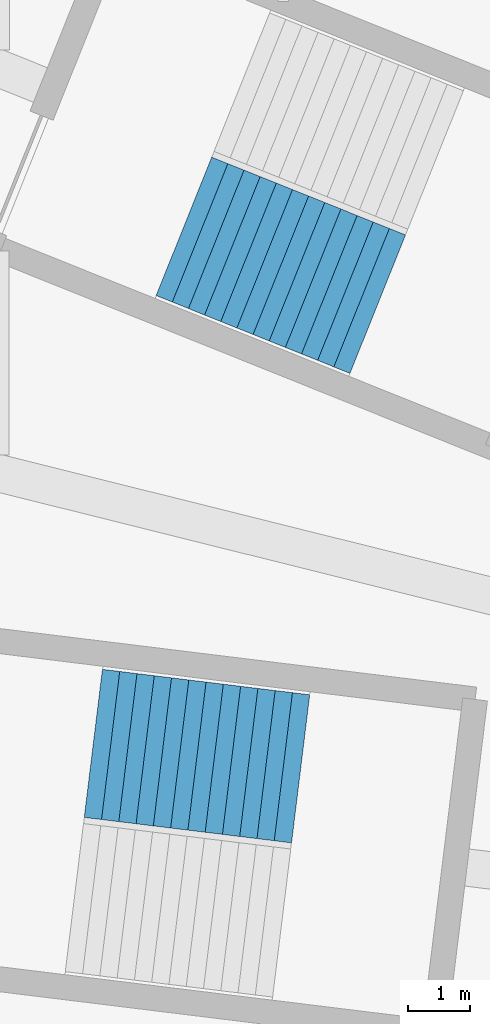
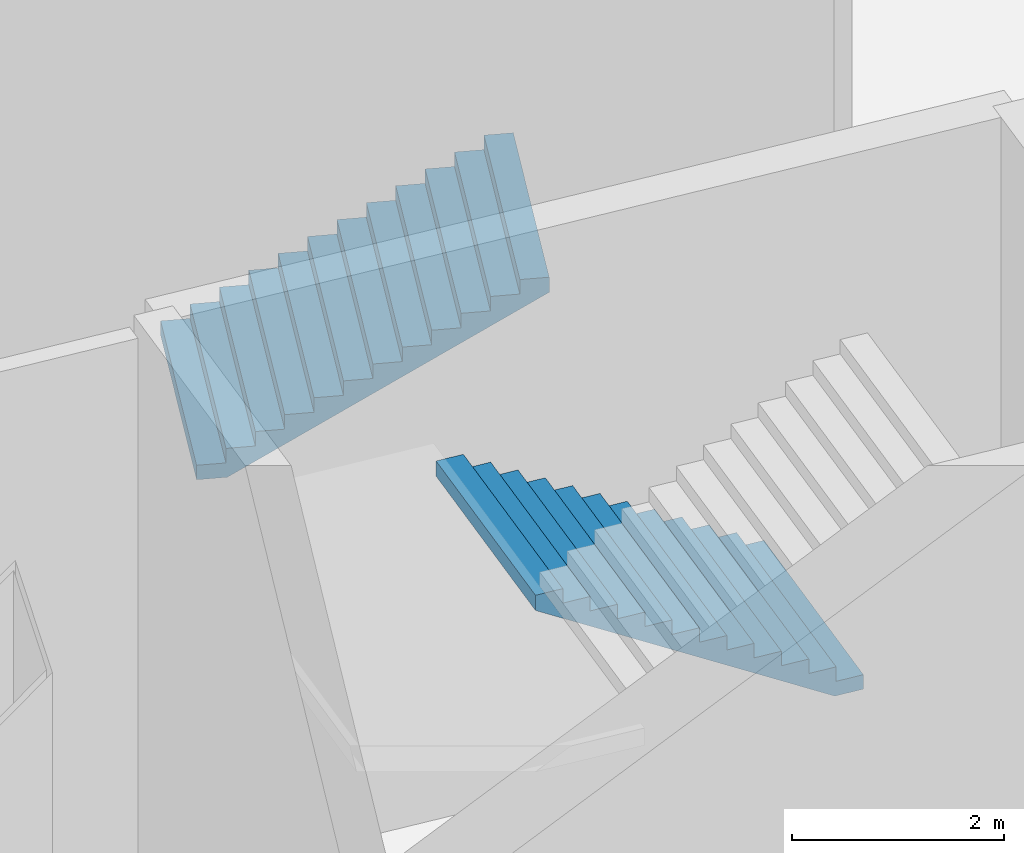
# One storey, part 30 of 47: 2 stair flights, 2 elements without a shape of their own.
"""IFC4 building model written with IfcOpenShell, lengths in metres."""

from ifc_helpers import new_model, si_unit, direction, frame, origin, place, context, subcontext, project, spatial, triangles, material, type_object, element, aggregate, save


model = new_model("IFC4")

# Units and contexts
model_context = context("Model", 3, precision=1e-05, world=origin(), true_north=direction((0.0, 1.0)))
body_context = subcontext(model_context, "Body", "Model", "MODEL_VIEW")
ifc_project = project(units=[si_unit("LENGTHUNIT", "METRE"), si_unit("AREAUNIT", "SQUARE_METRE"), si_unit("VOLUMEUNIT", "CUBIC_METRE"), si_unit("PLANEANGLEUNIT", "RADIAN"), si_unit("MASSUNIT", "GRAM", prefix="KILO")], contexts=[model_context])

# Site, building, storey
site_placement = place(None, origin())
site = spatial("IfcSite", under=ifc_project, at=site_placement, CompositionType="ELEMENT")
building_placement = place(site_placement, origin())
building = spatial("IfcBuilding", under=site, at=building_placement, Name="Lantaw Convention Tower", CompositionType="ELEMENT")
storey_placement = place(building_placement, origin())
storey = spatial("IfcBuildingStorey", under=building, at=storey_placement, Name="L00", CompositionType="ELEMENT", Elevation=0.0)

# Stair, stair flight
ifc_material = material(Name="Concrete C35/45", Category="concrete")
stair_type = type_object("IfcStairType", Name="Exit stair 2400 riser 166.67 in 3 flights", PredefinedType="HALF_TURN_STAIR", material=ifc_material)
stair_1_placement = place(storey_placement, origin())
stair_1 = element("IfcStair", 1, at=stair_1_placement, inside=storey, type_object=stair_type, Name="Podium exit stair P8 L00", PredefinedType="HALF_TURN_STAIR")
stair_flight_type = type_object("IfcStairFlightType", Name="Stair flight 2400 riser 166.67", PredefinedType="STRAIGHT", material=ifc_material)
stair_flight_1_placement = place(storey_placement, frame((-39.848876953125, 14.64990234375, 0.0), z_axis=(0.0, 0.0, 1.0), x_axis=(0.928015168305, -0.372542410198, 0.0)))
stair_flight_1 = element("IfcStairFlight", 2, at=stair_flight_1_placement, type_object=stair_flight_type, Name="P8 flight 1", NumberOfRisers=13, NumberOfTreads=12, PredefinedType="STRAIGHT", RiserHeight=0.166666667, TreadLength=0.28, context=body_context, shape_type="Tessellation", body=[
    triangles([(0.0, 1.199951171875, 0.0), (0.0, 1.199951171875, 0.166666667), (0.28, 1.199951171875, 0.0), (0.28, 1.199951171875, 0.166666667), (0.28, 1.199951171875, 0.333333334), (0.29307345806906815, 1.199951171875, 0.0), (0.29307345806906815, 1.199951171875, 0.333333334), (0.56, 1.199951171875, 0.15888484670522912), (0.56, 1.199951171875, 0.333333334), (0.56, 1.199951171875, 0.500000001), (0.8400000000000001, 1.199951171875, 0.3255515137052291), (0.8400000000000001, 1.199951171875, 0.500000001), (0.8400000000000001, 1.199951171875, 0.666666668), (1.12, 1.199951171875, 0.49221818070522905), (1.12, 1.199951171875, 0.666666668), (1.12, 1.199951171875, 0.833333335), (1.4000000000000001, 1.199951171875, 0.658884847705229), (1.4000000000000001, 1.199951171875, 0.833333335), (1.4000000000000001, 1.199951171875, 1.000000002), (1.6800000000000002, 1.199951171875, 0.825551514705229), (1.6800000000000002, 1.199951171875, 1.000000002), (1.6800000000000002, 1.199951171875, 1.166666669), (1.9600000000000002, 1.199951171875, 0.992218181705229), (1.9600000000000002, 1.199951171875, 1.166666669), (1.9600000000000002, 1.199951171875, 1.333333336), (2.24, 1.199951171875, 1.158884848705229), (2.24, 1.199951171875, 1.333333336), (2.24, 1.199951171875, 1.5000000029999998), (2.5200000000000005, 1.199951171875, 1.325551515705229), (2.5200000000000005, 1.199951171875, 1.5000000029999998), (2.5200000000000005, 1.199951171875, 1.66666667), (2.8000000000000003, 1.199951171875, 1.492218182705229), (2.8000000000000003, 1.199951171875, 1.66666667), (2.8000000000000003, 1.199951171875, 1.833333337), (3.08, 1.199951171875, 1.6588848497052289), (3.08, 1.199951171875, 1.833333337), (3.08, 1.199951171875, 2.000000004), (3.3600000000000003, 1.199951171875, 1.825551516705229), (3.3600000000000003, 1.199951171875, 2.000000004), (0.0, -1.199951171875, 0.0), (0.0, -1.199951171875, 0.166666667), (0.28, -1.199951171875, 0.0), (0.28, -1.199951171875, 0.166666667), (0.28, -1.199951171875, 0.333333334), (0.29307345806906815, -1.199951171875, 0.0), (0.29307345806906815, -1.199951171875, 0.333333334), (0.56, -1.199951171875, 0.15888484670522912), (0.56, -1.199951171875, 0.333333334), (0.56, -1.199951171875, 0.500000001), (0.8400000000000001, -1.199951171875, 0.3255515137052291), (0.8400000000000001, -1.199951171875, 0.500000001), (0.8400000000000001, -1.199951171875, 0.666666668), (1.12, -1.199951171875, 0.49221818070522905), (1.12, -1.199951171875, 0.666666668), (1.12, -1.199951171875, 0.833333335), (1.4000000000000001, -1.199951171875, 0.658884847705229), (1.4000000000000001, -1.199951171875, 0.833333335), (1.4000000000000001, -1.199951171875, 1.000000002), (1.6800000000000002, -1.199951171875, 0.825551514705229), (1.6800000000000002, -1.199951171875, 1.000000002), (1.6800000000000002, -1.199951171875, 1.166666669), (1.9600000000000002, -1.199951171875, 0.992218181705229), (1.9600000000000002, -1.199951171875, 1.166666669), (1.9600000000000002, -1.199951171875, 1.333333336), (2.24, -1.199951171875, 1.158884848705229), (2.24, -1.199951171875, 1.333333336), (2.24, -1.199951171875, 1.5000000029999998), (2.5200000000000005, -1.199951171875, 1.325551515705229), (2.5200000000000005, -1.199951171875, 1.5000000029999998), (2.5200000000000005, -1.199951171875, 1.66666667), (2.8000000000000003, -1.199951171875, 1.492218182705229), (2.8000000000000003, -1.199951171875, 1.66666667), (2.8000000000000003, -1.199951171875, 1.833333337), (3.08, -1.199951171875, 1.6588848497052289), (3.08, -1.199951171875, 1.833333337), (3.08, -1.199951171875, 2.000000004), (3.3600000000000003, -1.199951171875, 1.825551516705229), (3.3600000000000003, -1.199951171875, 2.000000004), (0.0, 0.239990234375, 0.166666667), (0.0, 0.239990234375, 0.0), (0.0, 0.0, 0.166666667), (0.0, 0.0, 0.0), (0.0, -0.239990234375, 0.166666667), (0.0, -0.239990234375, 0.0), (0.28, 0.239990234375, 0.333333334), (0.28, 0.239990234375, 0.166666667), (0.28, 0.0, 0.333333334), (0.28, 0.0, 0.166666667), (0.28, -0.239990234375, 0.333333334), (0.28, -0.239990234375, 0.166666667), (0.56, 0.239990234375, 0.500000001), (0.56, 0.239990234375, 0.333333334), (0.56, 0.0, 0.500000001), (0.56, 0.0, 0.333333334), (0.56, -0.239990234375, 0.500000001), (0.56, -0.239990234375, 0.333333334), (0.8400000000000001, 0.239990234375, 0.666666668), (0.8400000000000001, 0.239990234375, 0.500000001), (0.8400000000000001, 0.0, 0.666666668), (0.8400000000000001, 0.0, 0.500000001), (0.8400000000000001, -0.239990234375, 0.666666668), (0.8400000000000001, -0.239990234375, 0.500000001), (1.12, 0.239990234375, 0.833333335), (1.12, 0.239990234375, 0.666666668), (1.12, 0.0, 0.833333335), (1.12, 0.0, 0.666666668), (1.12, -0.239990234375, 0.833333335), (1.12, -0.239990234375, 0.666666668), (1.4000000000000001, 0.239990234375, 1.000000002), (1.4000000000000001, 0.239990234375, 0.833333335), (1.4000000000000001, 0.0, 1.000000002), (1.4000000000000001, 0.0, 0.833333335), (1.4000000000000001, -0.239990234375, 1.000000002), (1.4000000000000001, -0.239990234375, 0.833333335), (1.6800000000000002, 0.239990234375, 1.166666669), (1.6800000000000002, 0.239990234375, 1.000000002), (1.6800000000000002, 0.0, 1.166666669), (1.6800000000000002, 0.0, 1.000000002), (1.6800000000000002, -0.239990234375, 1.166666669), (1.6800000000000002, -0.239990234375, 1.000000002), (1.9600000000000002, 0.239990234375, 1.333333336), (1.9600000000000002, 0.239990234375, 1.166666669), (1.9600000000000002, 0.0, 1.333333336), (1.9600000000000002, 0.0, 1.166666669), (1.9600000000000002, -0.239990234375, 1.333333336), (1.9600000000000002, -0.239990234375, 1.166666669), (2.24, 0.239990234375, 1.5000000029999998), (2.24, 0.239990234375, 1.333333336), (2.24, 0.0, 1.5000000029999998), (2.24, 0.0, 1.333333336), (2.24, -0.239990234375, 1.5000000029999998), (2.24, -0.239990234375, 1.333333336), (2.5200000000000005, 0.239990234375, 1.66666667), (2.5200000000000005, 0.239990234375, 1.5000000029999998), (2.5200000000000005, 0.0, 1.66666667), (2.5200000000000005, 0.0, 1.5000000029999998), (2.5200000000000005, -0.239990234375, 1.66666667), (2.5200000000000005, -0.239990234375, 1.5000000029999998), (2.8000000000000003, 0.239990234375, 1.833333337), (2.8000000000000003, 0.239990234375, 1.66666667), (2.8000000000000003, 0.0, 1.833333337), (2.8000000000000003, 0.0, 1.66666667), (2.8000000000000003, -0.239990234375, 1.833333337), (2.8000000000000003, -0.239990234375, 1.66666667), (3.08, 0.239990234375, 2.000000004), (3.08, 0.239990234375, 1.833333337), (3.08, 0.0, 2.000000004), (3.08, 0.0, 1.833333337), (3.08, -0.239990234375, 2.000000004), (3.08, -0.239990234375, 1.833333337), (0.29307345806906815, 0.239990234375, 0.333333334), (0.29307345806906815, 0.0, 0.333333334), (0.29307345806906815, -0.239990234375, 0.333333334), (3.3600000000000003, 0.239990234375, 2.000000004), (3.3600000000000003, 0.0, 2.000000004), (3.3600000000000003, -0.239990234375, 2.000000004), (3.3600000000000003, 0.239990234375, 1.8255515167052292), (3.3600000000000003, 0.0, 1.8255515167052292), (3.3600000000000003, -0.239990234375, 1.8255515167052292), (3.08, 0.239990234375, 1.6588848497052289), (3.08, 0.0, 1.6588848497052289), (3.08, -0.239990234375, 1.6588848497052289), (2.8000000000000003, 0.239990234375, 1.492218182705229), (2.8000000000000003, 0.0, 1.492218182705229), (2.8000000000000003, -0.239990234375, 1.492218182705229), (2.5200000000000005, 0.239990234375, 1.325551515705229), (2.5200000000000005, 0.0, 1.325551515705229), (2.5200000000000005, -0.239990234375, 1.325551515705229), (2.24, 0.239990234375, 1.158884848705229), (2.24, 0.0, 1.158884848705229), (2.24, -0.239990234375, 1.158884848705229), (1.9600000000000002, 0.239990234375, 0.992218181705229), (1.9600000000000002, 0.0, 0.992218181705229), (1.9600000000000002, -0.239990234375, 0.992218181705229), (1.6800000000000002, 0.239990234375, 0.825551514705229), (1.6800000000000002, 0.0, 0.825551514705229), (1.6800000000000002, -0.239990234375, 0.825551514705229), (1.4000000000000001, 0.239990234375, 0.658884847705229), (1.4000000000000001, 0.0, 0.658884847705229), (1.4000000000000001, -0.239990234375, 0.658884847705229), (1.12, 0.239990234375, 0.49221818070522905), (1.12, 0.0, 0.49221818070522905), (1.12, -0.239990234375, 0.49221818070522905), (0.8400000000000001, 0.239990234375, 0.3255515137052291), (0.8400000000000001, 0.0, 0.3255515137052291), (0.8400000000000001, -0.239990234375, 0.3255515137052291), (0.56, 0.239990234375, 0.15888484670522912), (0.56, 0.0, 0.15888484670522912), (0.56, -0.239990234375, 0.15888484670522912), (0.29307345806906815, 0.239990234375, 0.0), (0.29307345806906815, 0.0, 0.0), (0.29307345806906815, -0.239990234375, 0.0), (0.28, 0.239990234375, 0.0), (0.28, 0.0, 0.0), (0.28, -0.239990234375, 0.0)], [[1, 4, 3], [1, 2, 4], [3, 4, 6], [4, 7, 6], [4, 5, 7], [6, 9, 8], [6, 7, 9], [8, 9, 11], [9, 12, 11], [9, 10, 12], [11, 12, 14], [12, 15, 14], [12, 13, 15], [14, 15, 17], [15, 18, 17], [15, 16, 18], [17, 18, 20], [18, 21, 20], [18, 19, 21], [20, 21, 23], [21, 24, 23], [21, 22, 24], [23, 24, 26], [24, 27, 26], [24, 25, 27], [26, 27, 29], [27, 30, 29], [27, 28, 30], [29, 30, 32], [30, 33, 32], [30, 31, 33], [32, 33, 35], [33, 36, 35], [33, 34, 36], [35, 36, 38], [36, 39, 38], [36, 37, 39], [40, 42, 43], [40, 43, 41], [42, 45, 43], [43, 45, 46], [43, 46, 44], [45, 47, 48], [45, 48, 46], [47, 50, 48], [48, 50, 51], [48, 51, 49], [50, 53, 51], [51, 53, 54], [51, 54, 52], [53, 56, 54], [54, 56, 57], [54, 57, 55], [56, 59, 57], [57, 59, 60], [57, 60, 58], [59, 62, 60], [60, 62, 63], [60, 63, 61], [62, 65, 63], [63, 65, 66], [63, 66, 64], [65, 68, 66], [66, 68, 69], [66, 69, 67], [68, 71, 69], [69, 71, 72], [69, 72, 70], [71, 74, 72], [72, 74, 75], [72, 75, 73], [74, 77, 75], [75, 77, 78], [75, 78, 76], [1, 79, 2], [1, 80, 79], [80, 81, 79], [80, 82, 81], [82, 83, 81], [82, 84, 83], [84, 41, 83], [84, 40, 41], [4, 85, 5], [4, 86, 85], [86, 87, 85], [86, 88, 87], [88, 89, 87], [88, 90, 89], [90, 44, 89], [90, 43, 44], [9, 91, 10], [9, 92, 91], [92, 93, 91], [92, 94, 93], [94, 95, 93], [94, 96, 95], [96, 49, 95], [96, 48, 49], [12, 97, 13], [12, 98, 97], [98, 99, 97], [98, 100, 99], [100, 101, 99], [100, 102, 101], [102, 52, 101], [102, 51, 52], [15, 103, 16], [15, 104, 103], [104, 105, 103], [104, 106, 105], [106, 107, 105], [106, 108, 107], [108, 55, 107], [108, 54, 55], [18, 109, 19], [18, 110, 109], [110, 111, 109], [110, 112, 111], [112, 113, 111], [112, 114, 113], [114, 58, 113], [114, 57, 58], [21, 115, 22], [21, 116, 115], [116, 117, 115], [116, 118, 117], [118, 119, 117], [118, 120, 119], [120, 61, 119], [120, 60, 61], [24, 121, 25], [24, 122, 121], [122, 123, 121], [122, 124, 123], [124, 125, 123], [124, 126, 125], [126, 64, 125], [126, 63, 64], [27, 127, 28], [27, 128, 127], [128, 129, 127], [128, 130, 129], [130, 131, 129], [130, 132, 131], [132, 67, 131], [132, 66, 67], [30, 133, 31], [30, 134, 133], [134, 135, 133], [134, 136, 135], [136, 137, 135], [136, 138, 137], [138, 70, 137], [138, 69, 70], [33, 139, 34], [33, 140, 139], [140, 141, 139], [140, 142, 141], [142, 143, 141], [142, 144, 143], [144, 73, 143], [144, 72, 73], [36, 145, 37], [36, 146, 145], [146, 147, 145], [146, 148, 147], [148, 149, 147], [148, 150, 149], [150, 76, 149], [150, 75, 76], [2, 86, 4], [2, 79, 86], [79, 88, 86], [79, 81, 88], [81, 90, 88], [81, 83, 90], [83, 43, 90], [83, 41, 43], [5, 151, 7], [5, 85, 151], [85, 152, 151], [85, 87, 152], [87, 153, 152], [87, 89, 153], [89, 46, 153], [89, 44, 46], [7, 92, 9], [7, 151, 92], [151, 94, 92], [151, 152, 94], [152, 96, 94], [152, 153, 96], [153, 48, 96], [153, 46, 48], [10, 98, 12], [10, 91, 98], [91, 100, 98], [91, 93, 100], [93, 102, 100], [93, 95, 102], [95, 51, 102], [95, 49, 51], [13, 104, 15], [13, 97, 104], [97, 106, 104], [97, 99, 106], [99, 108, 106], [99, 101, 108], [101, 54, 108], [101, 52, 54], [16, 110, 18], [16, 103, 110], [103, 112, 110], [103, 105, 112], [105, 114, 112], [105, 107, 114], [107, 57, 114], [107, 55, 57], [19, 116, 21], [19, 109, 116], [109, 118, 116], [109, 111, 118], [111, 120, 118], [111, 113, 120], [113, 60, 120], [113, 58, 60], [22, 122, 24], [22, 115, 122], [115, 124, 122], [115, 117, 124], [117, 126, 124], [117, 119, 126], [119, 63, 126], [119, 61, 63], [25, 128, 27], [25, 121, 128], [121, 130, 128], [121, 123, 130], [123, 132, 130], [123, 125, 132], [125, 66, 132], [125, 64, 66], [28, 134, 30], [28, 127, 134], [127, 136, 134], [127, 129, 136], [129, 138, 136], [129, 131, 138], [131, 69, 138], [131, 67, 69], [31, 140, 33], [31, 133, 140], [133, 142, 140], [133, 135, 142], [135, 144, 142], [135, 137, 144], [137, 72, 144], [137, 70, 72], [34, 146, 36], [34, 139, 146], [139, 148, 146], [139, 141, 148], [141, 150, 148], [141, 143, 150], [143, 75, 150], [143, 73, 75], [37, 154, 39], [37, 145, 154], [145, 155, 154], [145, 147, 155], [147, 156, 155], [147, 149, 156], [149, 78, 156], [149, 76, 78], [39, 157, 38], [39, 154, 157], [154, 158, 157], [154, 155, 158], [155, 159, 158], [155, 156, 159], [156, 77, 159], [156, 78, 77], [38, 160, 35], [38, 157, 160], [157, 161, 160], [157, 158, 161], [158, 162, 161], [158, 159, 162], [159, 74, 162], [159, 77, 74], [35, 163, 32], [35, 160, 163], [160, 164, 163], [160, 161, 164], [161, 165, 164], [161, 162, 165], [162, 71, 165], [162, 74, 71], [32, 166, 29], [32, 163, 166], [163, 167, 166], [163, 164, 167], [164, 168, 167], [164, 165, 168], [165, 68, 168], [165, 71, 68], [29, 169, 26], [29, 166, 169], [166, 170, 169], [166, 167, 170], [167, 171, 170], [167, 168, 171], [168, 65, 171], [168, 68, 65], [26, 172, 23], [26, 169, 172], [169, 173, 172], [169, 170, 173], [170, 174, 173], [170, 171, 174], [171, 62, 174], [171, 65, 62], [23, 175, 20], [23, 172, 175], [172, 176, 175], [172, 173, 176], [173, 177, 176], [173, 174, 177], [174, 59, 177], [174, 62, 59], [20, 178, 17], [20, 175, 178], [175, 179, 178], [175, 176, 179], [176, 180, 179], [176, 177, 180], [177, 56, 180], [177, 59, 56], [17, 181, 14], [17, 178, 181], [178, 182, 181], [178, 179, 182], [179, 183, 182], [179, 180, 183], [180, 53, 183], [180, 56, 53], [14, 184, 11], [14, 181, 184], [181, 185, 184], [181, 182, 185], [182, 186, 185], [182, 183, 186], [183, 50, 186], [183, 53, 50], [11, 187, 8], [11, 184, 187], [184, 188, 187], [184, 185, 188], [185, 189, 188], [185, 186, 189], [186, 47, 189], [186, 50, 47], [8, 190, 6], [8, 187, 190], [187, 191, 190], [187, 188, 191], [188, 192, 191], [188, 189, 192], [189, 45, 192], [189, 47, 45], [6, 193, 3], [6, 190, 193], [190, 194, 193], [190, 191, 194], [191, 195, 194], [191, 192, 195], [192, 42, 195], [192, 45, 42], [3, 80, 1], [3, 193, 80], [193, 82, 80], [193, 194, 82], [194, 84, 82], [194, 195, 84], [195, 40, 84], [195, 42, 40]], closed=True),
])
aggregate(stair_1, [stair_flight_1])

stair_2_placement = place(storey_placement, origin())
stair_2 = element("IfcStair", 3, at=stair_2_placement, inside=storey, type_object=stair_type, Name="Podium exit stair P9 L00", PredefinedType="HALF_TURN_STAIR")
stair_flight_2_placement = place(storey_placement, frame((-37.9716796875, 5.921630859375, 2.166748046875), z_axis=(0.0, 0.0, 1.0), x_axis=(-0.992546151641, 0.121869343405, 0.0)))
stair_flight_2 = element("IfcStairFlight", 4, at=stair_flight_2_placement, type_object=stair_flight_type, Name="P9 flight 2", NumberOfRisers=13, NumberOfTreads=12, PredefinedType="STRAIGHT", RiserHeight=0.166666667, TreadLength=0.28, context=body_context, shape_type="Tessellation", body=[
    triangles([(0.0, 1.199951171875, 0.0), (0.0, 1.199951171875, 0.166666667), (0.28, 1.199951171875, 0.0), (0.28, 1.199951171875, 0.166666667), (0.28, 1.199951171875, 0.333333334), (0.29307345806906815, 1.199951171875, 0.0), (0.29307345806906815, 1.199951171875, 0.333333334), (0.56, 1.199951171875, 0.15888484670522912), (0.56, 1.199951171875, 0.333333334), (0.56, 1.199951171875, 0.500000001), (0.8400000000000001, 1.199951171875, 0.3255515137052291), (0.8400000000000001, 1.199951171875, 0.500000001), (0.8400000000000001, 1.199951171875, 0.666666668), (1.12, 1.199951171875, 0.49221818070522905), (1.12, 1.199951171875, 0.666666668), (1.12, 1.199951171875, 0.833333335), (1.4000000000000001, 1.199951171875, 0.658884847705229), (1.4000000000000001, 1.199951171875, 0.833333335), (1.4000000000000001, 1.199951171875, 1.000000002), (1.6800000000000002, 1.199951171875, 0.825551514705229), (1.6800000000000002, 1.199951171875, 1.000000002), (1.6800000000000002, 1.199951171875, 1.166666669), (1.9600000000000002, 1.199951171875, 0.992218181705229), (1.9600000000000002, 1.199951171875, 1.166666669), (1.9600000000000002, 1.199951171875, 1.333333336), (2.24, 1.199951171875, 1.158884848705229), (2.24, 1.199951171875, 1.333333336), (2.24, 1.199951171875, 1.5000000029999998), (2.5200000000000005, 1.199951171875, 1.325551515705229), (2.5200000000000005, 1.199951171875, 1.5000000029999998), (2.5200000000000005, 1.199951171875, 1.66666667), (2.8000000000000003, 1.199951171875, 1.492218182705229), (2.8000000000000003, 1.199951171875, 1.66666667), (2.8000000000000003, 1.199951171875, 1.833333337), (3.08, 1.199951171875, 1.6588848497052289), (3.08, 1.199951171875, 1.833333337), (3.08, 1.199951171875, 2.000000004), (3.3600000000000003, 1.199951171875, 1.825551516705229), (3.3600000000000003, 1.199951171875, 2.000000004), (0.0, -1.199951171875, 0.0), (0.0, -1.199951171875, 0.166666667), (0.28, -1.199951171875, 0.0), (0.28, -1.199951171875, 0.166666667), (0.28, -1.199951171875, 0.333333334), (0.29307345806906815, -1.199951171875, 0.0), (0.29307345806906815, -1.199951171875, 0.333333334), (0.56, -1.199951171875, 0.15888484670522912), (0.56, -1.199951171875, 0.333333334), (0.56, -1.199951171875, 0.500000001), (0.8400000000000001, -1.199951171875, 0.3255515137052291), (0.8400000000000001, -1.199951171875, 0.500000001), (0.8400000000000001, -1.199951171875, 0.666666668), (1.12, -1.199951171875, 0.49221818070522905), (1.12, -1.199951171875, 0.666666668), (1.12, -1.199951171875, 0.833333335), (1.4000000000000001, -1.199951171875, 0.658884847705229), (1.4000000000000001, -1.199951171875, 0.833333335), (1.4000000000000001, -1.199951171875, 1.000000002), (1.6800000000000002, -1.199951171875, 0.825551514705229), (1.6800000000000002, -1.199951171875, 1.000000002), (1.6800000000000002, -1.199951171875, 1.166666669), (1.9600000000000002, -1.199951171875, 0.992218181705229), (1.9600000000000002, -1.199951171875, 1.166666669), (1.9600000000000002, -1.199951171875, 1.333333336), (2.24, -1.199951171875, 1.158884848705229), (2.24, -1.199951171875, 1.333333336), (2.24, -1.199951171875, 1.5000000029999998), (2.5200000000000005, -1.199951171875, 1.325551515705229), (2.5200000000000005, -1.199951171875, 1.5000000029999998), (2.5200000000000005, -1.199951171875, 1.66666667), (2.8000000000000003, -1.199951171875, 1.492218182705229), (2.8000000000000003, -1.199951171875, 1.66666667), (2.8000000000000003, -1.199951171875, 1.833333337), (3.08, -1.199951171875, 1.6588848497052289), (3.08, -1.199951171875, 1.833333337), (3.08, -1.199951171875, 2.000000004), (3.3600000000000003, -1.199951171875, 1.825551516705229), (3.3600000000000003, -1.199951171875, 2.000000004), (0.0, 0.239990234375, 0.166666667), (0.0, 0.239990234375, 0.0), (0.0, 0.0, 0.166666667), (0.0, 0.0, 0.0), (0.0, -0.239990234375, 0.166666667), (0.0, -0.239990234375, 0.0), (0.28, 0.239990234375, 0.333333334), (0.28, 0.239990234375, 0.166666667), (0.28, 0.0, 0.333333334), (0.28, 0.0, 0.166666667), (0.28, -0.239990234375, 0.333333334), (0.28, -0.239990234375, 0.166666667), (0.56, 0.239990234375, 0.500000001), (0.56, 0.239990234375, 0.333333334), (0.56, 0.0, 0.500000001), (0.56, 0.0, 0.333333334), (0.56, -0.239990234375, 0.500000001), (0.56, -0.239990234375, 0.333333334), (0.8400000000000001, 0.239990234375, 0.666666668), (0.8400000000000001, 0.239990234375, 0.500000001), (0.8400000000000001, 0.0, 0.666666668), (0.8400000000000001, 0.0, 0.500000001), (0.8400000000000001, -0.239990234375, 0.666666668), (0.8400000000000001, -0.239990234375, 0.500000001), (1.12, 0.239990234375, 0.833333335), (1.12, 0.239990234375, 0.666666668), (1.12, 0.0, 0.833333335), (1.12, 0.0, 0.666666668), (1.12, -0.239990234375, 0.833333335), (1.12, -0.239990234375, 0.666666668), (1.4000000000000001, 0.239990234375, 1.000000002), (1.4000000000000001, 0.239990234375, 0.833333335), (1.4000000000000001, 0.0, 1.000000002), (1.4000000000000001, 0.0, 0.833333335), (1.4000000000000001, -0.239990234375, 1.000000002), (1.4000000000000001, -0.239990234375, 0.833333335), (1.6800000000000002, 0.239990234375, 1.166666669), (1.6800000000000002, 0.239990234375, 1.000000002), (1.6800000000000002, 0.0, 1.166666669), (1.6800000000000002, 0.0, 1.000000002), (1.6800000000000002, -0.239990234375, 1.166666669), (1.6800000000000002, -0.239990234375, 1.000000002), (1.9600000000000002, 0.239990234375, 1.333333336), (1.9600000000000002, 0.239990234375, 1.166666669), (1.9600000000000002, 0.0, 1.333333336), (1.9600000000000002, 0.0, 1.166666669), (1.9600000000000002, -0.239990234375, 1.333333336), (1.9600000000000002, -0.239990234375, 1.166666669), (2.24, 0.239990234375, 1.5000000029999998), (2.24, 0.239990234375, 1.333333336), (2.24, 0.0, 1.5000000029999998), (2.24, 0.0, 1.333333336), (2.24, -0.239990234375, 1.5000000029999998), (2.24, -0.239990234375, 1.333333336), (2.5200000000000005, 0.239990234375, 1.66666667), (2.5200000000000005, 0.239990234375, 1.5000000029999998), (2.5200000000000005, 0.0, 1.66666667), (2.5200000000000005, 0.0, 1.5000000029999998), (2.5200000000000005, -0.239990234375, 1.66666667), (2.5200000000000005, -0.239990234375, 1.5000000029999998), (2.8000000000000003, 0.239990234375, 1.833333337), (2.8000000000000003, 0.239990234375, 1.66666667), (2.8000000000000003, 0.0, 1.833333337), (2.8000000000000003, 0.0, 1.66666667), (2.8000000000000003, -0.239990234375, 1.833333337), (2.8000000000000003, -0.239990234375, 1.66666667), (3.08, 0.239990234375, 2.000000004), (3.08, 0.239990234375, 1.833333337), (3.08, 0.0, 2.000000004), (3.08, 0.0, 1.833333337), (3.08, -0.239990234375, 2.000000004), (3.08, -0.239990234375, 1.833333337), (0.29307345806906815, 0.239990234375, 0.333333334), (0.29307345806906815, 0.0, 0.333333334), (0.29307345806906815, -0.239990234375, 0.333333334), (3.3600000000000003, 0.239990234375, 2.000000004), (3.3600000000000003, 0.0, 2.000000004), (3.3600000000000003, -0.239990234375, 2.000000004), (3.3600000000000003, 0.239990234375, 1.8255515167052292), (3.3600000000000003, 0.0, 1.8255515167052292), (3.3600000000000003, -0.239990234375, 1.8255515167052292), (3.08, 0.239990234375, 1.6588848497052289), (3.08, 0.0, 1.6588848497052289), (3.08, -0.239990234375, 1.6588848497052289), (2.8000000000000003, 0.239990234375, 1.492218182705229), (2.8000000000000003, 0.0, 1.492218182705229), (2.8000000000000003, -0.239990234375, 1.492218182705229), (2.5200000000000005, 0.239990234375, 1.325551515705229), (2.5200000000000005, 0.0, 1.325551515705229), (2.5200000000000005, -0.239990234375, 1.325551515705229), (2.24, 0.239990234375, 1.158884848705229), (2.24, 0.0, 1.158884848705229), (2.24, -0.239990234375, 1.158884848705229), (1.9600000000000002, 0.239990234375, 0.992218181705229), (1.9600000000000002, 0.0, 0.992218181705229), (1.9600000000000002, -0.239990234375, 0.992218181705229), (1.6800000000000002, 0.239990234375, 0.825551514705229), (1.6800000000000002, 0.0, 0.825551514705229), (1.6800000000000002, -0.239990234375, 0.825551514705229), (1.4000000000000001, 0.239990234375, 0.658884847705229), (1.4000000000000001, 0.0, 0.658884847705229), (1.4000000000000001, -0.239990234375, 0.658884847705229), (1.12, 0.239990234375, 0.49221818070522905), (1.12, 0.0, 0.49221818070522905), (1.12, -0.239990234375, 0.49221818070522905), (0.8400000000000001, 0.239990234375, 0.3255515137052291), (0.8400000000000001, 0.0, 0.3255515137052291), (0.8400000000000001, -0.239990234375, 0.3255515137052291), (0.56, 0.239990234375, 0.15888484670522912), (0.56, 0.0, 0.15888484670522912), (0.56, -0.239990234375, 0.15888484670522912), (0.29307345806906815, 0.239990234375, 0.0), (0.29307345806906815, 0.0, 0.0), (0.29307345806906815, -0.239990234375, 0.0), (0.28, 0.239990234375, 0.0), (0.28, 0.0, 0.0), (0.28, -0.239990234375, 0.0)], [[1, 4, 3], [1, 2, 4], [3, 4, 6], [4, 7, 6], [4, 5, 7], [6, 9, 8], [6, 7, 9], [8, 9, 11], [9, 12, 11], [9, 10, 12], [11, 12, 14], [12, 15, 14], [12, 13, 15], [14, 15, 17], [15, 18, 17], [15, 16, 18], [17, 18, 20], [18, 21, 20], [18, 19, 21], [20, 21, 23], [21, 24, 23], [21, 22, 24], [23, 24, 26], [24, 27, 26], [24, 25, 27], [26, 27, 29], [27, 30, 29], [27, 28, 30], [29, 30, 32], [30, 33, 32], [30, 31, 33], [32, 33, 35], [33, 36, 35], [33, 34, 36], [35, 36, 38], [36, 39, 38], [36, 37, 39], [40, 42, 43], [40, 43, 41], [42, 45, 43], [43, 45, 46], [43, 46, 44], [45, 47, 48], [45, 48, 46], [47, 50, 48], [48, 50, 51], [48, 51, 49], [50, 53, 51], [51, 53, 54], [51, 54, 52], [53, 56, 54], [54, 56, 57], [54, 57, 55], [56, 59, 57], [57, 59, 60], [57, 60, 58], [59, 62, 60], [60, 62, 63], [60, 63, 61], [62, 65, 63], [63, 65, 66], [63, 66, 64], [65, 68, 66], [66, 68, 69], [66, 69, 67], [68, 71, 69], [69, 71, 72], [69, 72, 70], [71, 74, 72], [72, 74, 75], [72, 75, 73], [74, 77, 75], [75, 77, 78], [75, 78, 76], [1, 79, 2], [1, 80, 79], [80, 81, 79], [80, 82, 81], [82, 83, 81], [82, 84, 83], [84, 41, 83], [84, 40, 41], [4, 85, 5], [4, 86, 85], [86, 87, 85], [86, 88, 87], [88, 89, 87], [88, 90, 89], [90, 44, 89], [90, 43, 44], [9, 91, 10], [9, 92, 91], [92, 93, 91], [92, 94, 93], [94, 95, 93], [94, 96, 95], [96, 49, 95], [96, 48, 49], [12, 97, 13], [12, 98, 97], [98, 99, 97], [98, 100, 99], [100, 101, 99], [100, 102, 101], [102, 52, 101], [102, 51, 52], [15, 103, 16], [15, 104, 103], [104, 105, 103], [104, 106, 105], [106, 107, 105], [106, 108, 107], [108, 55, 107], [108, 54, 55], [18, 109, 19], [18, 110, 109], [110, 111, 109], [110, 112, 111], [112, 113, 111], [112, 114, 113], [114, 58, 113], [114, 57, 58], [21, 115, 22], [21, 116, 115], [116, 117, 115], [116, 118, 117], [118, 119, 117], [118, 120, 119], [120, 61, 119], [120, 60, 61], [24, 121, 25], [24, 122, 121], [122, 123, 121], [122, 124, 123], [124, 125, 123], [124, 126, 125], [126, 64, 125], [126, 63, 64], [27, 127, 28], [27, 128, 127], [128, 129, 127], [128, 130, 129], [130, 131, 129], [130, 132, 131], [132, 67, 131], [132, 66, 67], [30, 133, 31], [30, 134, 133], [134, 135, 133], [134, 136, 135], [136, 137, 135], [136, 138, 137], [138, 70, 137], [138, 69, 70], [33, 139, 34], [33, 140, 139], [140, 141, 139], [140, 142, 141], [142, 143, 141], [142, 144, 143], [144, 73, 143], [144, 72, 73], [36, 145, 37], [36, 146, 145], [146, 147, 145], [146, 148, 147], [148, 149, 147], [148, 150, 149], [150, 76, 149], [150, 75, 76], [2, 86, 4], [2, 79, 86], [79, 88, 86], [79, 81, 88], [81, 90, 88], [81, 83, 90], [83, 43, 90], [83, 41, 43], [5, 151, 7], [5, 85, 151], [85, 152, 151], [85, 87, 152], [87, 153, 152], [87, 89, 153], [89, 46, 153], [89, 44, 46], [7, 92, 9], [7, 151, 92], [151, 94, 92], [151, 152, 94], [152, 96, 94], [152, 153, 96], [153, 48, 96], [153, 46, 48], [10, 98, 12], [10, 91, 98], [91, 100, 98], [91, 93, 100], [93, 102, 100], [93, 95, 102], [95, 51, 102], [95, 49, 51], [13, 104, 15], [13, 97, 104], [97, 106, 104], [97, 99, 106], [99, 108, 106], [99, 101, 108], [101, 54, 108], [101, 52, 54], [16, 110, 18], [16, 103, 110], [103, 112, 110], [103, 105, 112], [105, 114, 112], [105, 107, 114], [107, 57, 114], [107, 55, 57], [19, 116, 21], [19, 109, 116], [109, 118, 116], [109, 111, 118], [111, 120, 118], [111, 113, 120], [113, 60, 120], [113, 58, 60], [22, 122, 24], [22, 115, 122], [115, 124, 122], [115, 117, 124], [117, 126, 124], [117, 119, 126], [119, 63, 126], [119, 61, 63], [25, 128, 27], [25, 121, 128], [121, 130, 128], [121, 123, 130], [123, 132, 130], [123, 125, 132], [125, 66, 132], [125, 64, 66], [28, 134, 30], [28, 127, 134], [127, 136, 134], [127, 129, 136], [129, 138, 136], [129, 131, 138], [131, 69, 138], [131, 67, 69], [31, 140, 33], [31, 133, 140], [133, 142, 140], [133, 135, 142], [135, 144, 142], [135, 137, 144], [137, 72, 144], [137, 70, 72], [34, 146, 36], [34, 139, 146], [139, 148, 146], [139, 141, 148], [141, 150, 148], [141, 143, 150], [143, 75, 150], [143, 73, 75], [37, 154, 39], [37, 145, 154], [145, 155, 154], [145, 147, 155], [147, 156, 155], [147, 149, 156], [149, 78, 156], [149, 76, 78], [39, 157, 38], [39, 154, 157], [154, 158, 157], [154, 155, 158], [155, 159, 158], [155, 156, 159], [156, 77, 159], [156, 78, 77], [38, 160, 35], [38, 157, 160], [157, 161, 160], [157, 158, 161], [158, 162, 161], [158, 159, 162], [159, 74, 162], [159, 77, 74], [35, 163, 32], [35, 160, 163], [160, 164, 163], [160, 161, 164], [161, 165, 164], [161, 162, 165], [162, 71, 165], [162, 74, 71], [32, 166, 29], [32, 163, 166], [163, 167, 166], [163, 164, 167], [164, 168, 167], [164, 165, 168], [165, 68, 168], [165, 71, 68], [29, 169, 26], [29, 166, 169], [166, 170, 169], [166, 167, 170], [167, 171, 170], [167, 168, 171], [168, 65, 171], [168, 68, 65], [26, 172, 23], [26, 169, 172], [169, 173, 172], [169, 170, 173], [170, 174, 173], [170, 171, 174], [171, 62, 174], [171, 65, 62], [23, 175, 20], [23, 172, 175], [172, 176, 175], [172, 173, 176], [173, 177, 176], [173, 174, 177], [174, 59, 177], [174, 62, 59], [20, 178, 17], [20, 175, 178], [175, 179, 178], [175, 176, 179], [176, 180, 179], [176, 177, 180], [177, 56, 180], [177, 59, 56], [17, 181, 14], [17, 178, 181], [178, 182, 181], [178, 179, 182], [179, 183, 182], [179, 180, 183], [180, 53, 183], [180, 56, 53], [14, 184, 11], [14, 181, 184], [181, 185, 184], [181, 182, 185], [182, 186, 185], [182, 183, 186], [183, 50, 186], [183, 53, 50], [11, 187, 8], [11, 184, 187], [184, 188, 187], [184, 185, 188], [185, 189, 188], [185, 186, 189], [186, 47, 189], [186, 50, 47], [8, 190, 6], [8, 187, 190], [187, 191, 190], [187, 188, 191], [188, 192, 191], [188, 189, 192], [189, 45, 192], [189, 47, 45], [6, 193, 3], [6, 190, 193], [190, 194, 193], [190, 191, 194], [191, 195, 194], [191, 192, 195], [192, 42, 195], [192, 45, 42], [3, 80, 1], [3, 193, 80], [193, 82, 80], [193, 194, 82], [194, 84, 82], [194, 195, 84], [195, 40, 84], [195, 42, 40]], closed=True),
])
aggregate(stair_2, [stair_flight_2])

save(model, "model.ifc")
